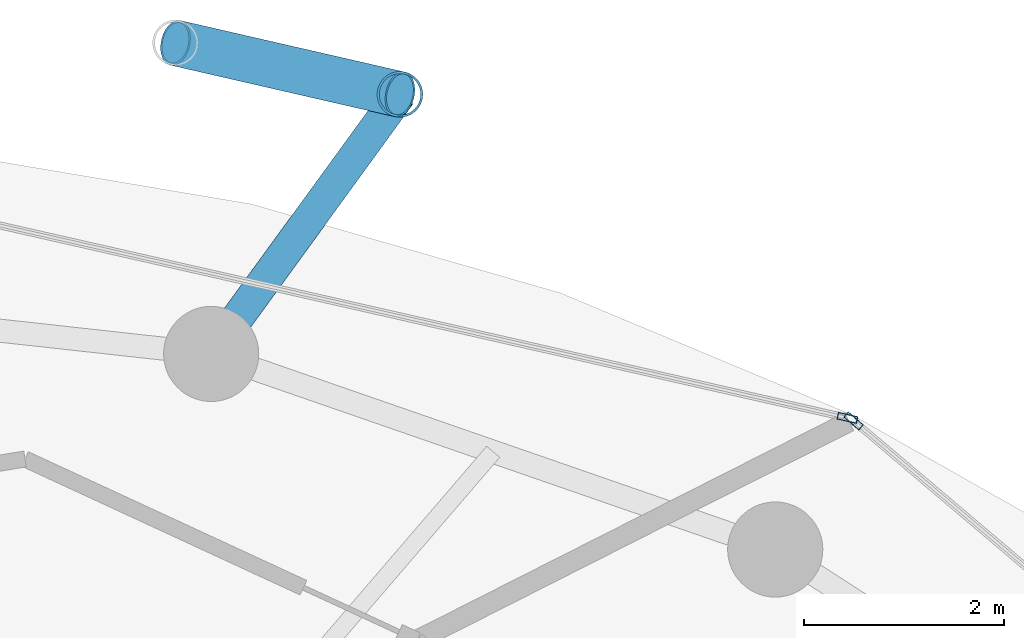
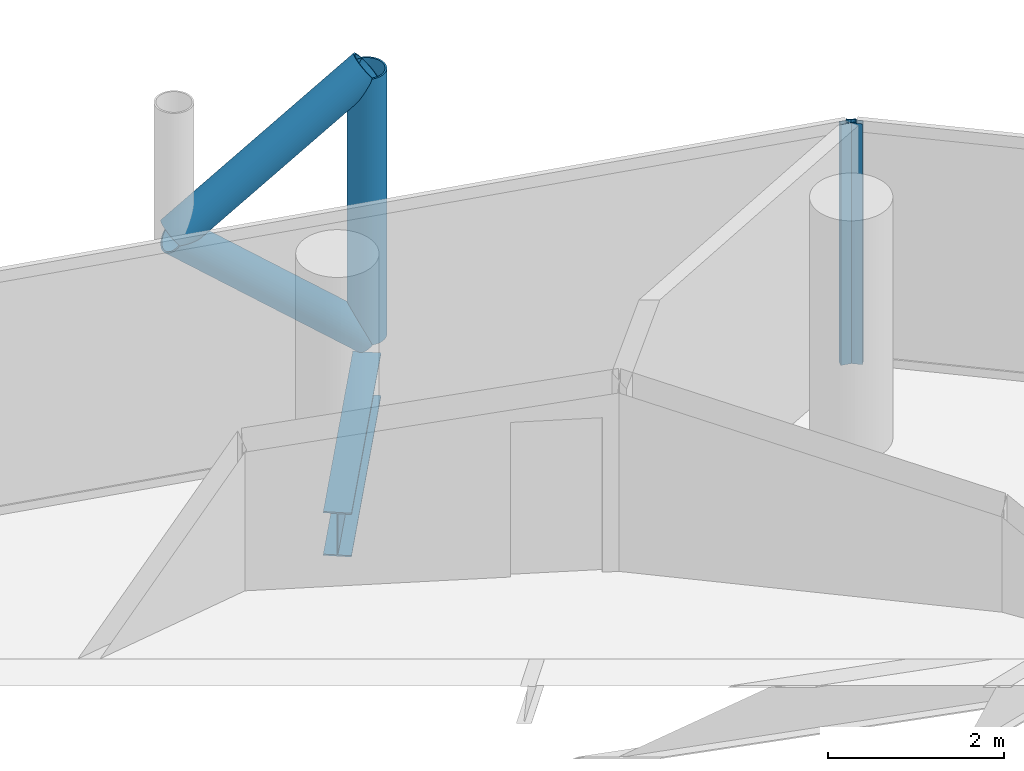
# One storey, part 20 of 26: 5 members, 1 beam, 2 elements without a shape of their own.
"""IFC4 building model written with IfcOpenShell, lengths in metres."""

from ifc_helpers import new_model, si_unit, direction, frame, origin, origin_2d, place, context, subcontext, project, spatial, hollow_rectangle, hollow_circle, i_section, extrude, material, layer, layer_set, material_profile, profile_set, type_object, element, aggregate, save


model = new_model("IFC4")

# Units and contexts
model_context = context("Model", 3, precision=1e-05, world=origin(), true_north=direction((0.0, 1.0)))
body_context = subcontext(model_context, "Body", "Model", "MODEL_VIEW")
ifc_project = project(units=[si_unit("LENGTHUNIT", "METRE"), si_unit("AREAUNIT", "SQUARE_METRE"), si_unit("VOLUMEUNIT", "CUBIC_METRE"), si_unit("PLANEANGLEUNIT", "RADIAN"), si_unit("MASSUNIT", "GRAM", prefix="KILO")], contexts=[model_context])

# Site, building, storey
site_placement = place(None, origin())
site = spatial("IfcSite", under=ifc_project, at=site_placement, CompositionType="ELEMENT")
building_placement = place(site_placement, origin())
building = spatial("IfcBuilding", under=site, at=building_placement, Name="Nuhasar Tower", CompositionType="ELEMENT")
storey_placement = place(building_placement, frame((0.0, 0.0, 192.25)))
storey = spatial("IfcBuildingStorey", under=building, at=storey_placement, Name="L47", CompositionType="ELEMENT", Elevation=192.25)

# Beam
ifc_material_1 = material(Name="Steel S355", Category="steel")
ifc_material_profile_1 = material_profile(ifc_material_1, i_section(OverallWidth=0.323974609375, OverallDepth=0.611083984375, WebThickness=0.0126953125, FlangeThickness=0.01904296875, at=origin_2d()), Name="W24X104")
ifc_profile_set_1 = profile_set([ifc_material_profile_1], Name="Steel S355")
beam_type = type_object("IfcBeamType", Name="BM-TIE-W24X104", PredefinedType="BEAM", material=ifc_profile_set_1)
beam_placement = place(storey_placement, frame((45.04296875, 45.68408203125, -0.554931640625), z_axis=(0.588185286445, 0.808726201387, 0.0), x_axis=(-0.808726201387, 0.588185286445, 0.0)))
element("IfcBeam", 1, at=beam_placement, inside=storey, type_object=beam_type, Name="L47 Exoskeleton Node Tie Beam 03", PredefinedType="BEAM", context=body_context, shape_type="SweptSolid", body=[
    extrude(i_section(OverallWidth=0.323974609375, OverallDepth=0.611083984375, WebThickness=0.0126953125, FlangeThickness=0.01904296875, at=origin_2d()), origin(), (0.0, 0.0, 1.0), 3.204833984375),
])

# Curtain wall, member
ifc_material_2 = material(Name="Aluminium 6063-T6", Category="aluminium")
ifc_layer = layer(ifc_material_2, 0.199951171875)
ifc_layer_set = layer_set([ifc_layer], Name="Aluminium 6063-T6")
curtain_wall_type = type_object("IfcCurtainWallType", Name="CW-Z2-HTL", PredefinedType="NOTDEFINED", material=ifc_layer_set)
curtain_wall_1_placement = place(storey_placement, origin())
curtain_wall_1 = element("IfcCurtainWall", 2, at=curtain_wall_1_placement, inside=storey, type_object=curtain_wall_type, Name="L47 Unitised Curtain Wall 02", PredefinedType="NOTDEFINED")
ifc_material_profile_2 = material_profile(ifc_material_2, hollow_rectangle(XDim=0.070068359375, YDim=0.199951171875, WallThickness=0.0048828125, at=origin_2d()), Name="CWM-3")
ifc_profile_set_2 = profile_set([ifc_material_profile_2], Name="Aluminium 6063-T6")
member_type_1 = type_object("IfcMemberType", Name="CW-MUL-S3", PredefinedType="MULLION", material=ifc_profile_set_2)
member_1_placement = place(storey_placement, frame((51.456787109375, 45.015380859375, 0.0), z_axis=(0.0, 0.0, 1.0), x_axis=(-0.646374438324, -0.763020370292, 0.0)))
member_1 = element("IfcMember", 3, at=member_1_placement, type_object=member_type_1, Name="CW-Z2 mullion 2", PredefinedType="MULLION", context=body_context, shape_type="SweptSolid", body=[
    extrude(hollow_rectangle(XDim=0.070068359375, YDim=0.199951171875, WallThickness=0.0048828125, at=origin_2d()), origin(), (0.0, 0.0, 1.0), 3.35009765625),
])
aggregate(curtain_wall_1, [member_1])

curtain_wall_2_placement = place(storey_placement, origin())
curtain_wall_2 = element("IfcCurtainWall", 4, at=curtain_wall_2_placement, inside=storey, type_object=curtain_wall_type, Name="L47 Unitised Curtain Wall 03", PredefinedType="NOTDEFINED")
member_2_placement = place(storey_placement, frame((51.395751953125, 45.045654296875, 0.0), z_axis=(0.0, 0.0, 1.0), x_axis=(-0.22139729566, -0.975183694221, 0.0)))
member_2 = element("IfcMember", 5, at=member_2_placement, type_object=member_type_1, Name="CW-Z2 mullion 1", PredefinedType="MULLION", context=body_context, shape_type="SweptSolid", body=[
    extrude(hollow_rectangle(XDim=0.070068359375, YDim=0.199951171875, WallThickness=0.0048828125, at=origin_2d()), origin(), (0.0, 0.0, 1.0), 3.35009765625),
])
aggregate(curtain_wall_2, [member_2])

# Members
ifc_material_3 = material(Name="Steel S460", Category="steel")
ifc_material_profile_3 = material_profile(ifc_material_3, hollow_circle(Radius=0.228515625, WallThickness=0.022216796875, at=origin_2d()), Name="HSS457X22.2")
ifc_profile_set_3 = profile_set([ifc_material_profile_3], Name="Steel S460")
member_type_2 = type_object("IfcMemberType", Name="EXO-BRONZE-457", PredefinedType="BRACE", material=ifc_profile_set_3)
member_3_placement = place(storey_placement, frame((46.927978515625, 48.27587890625, 0.0), z_axis=(0.0, 0.0, 1.0), x_axis=(1.0, 0.0, 0.0)))
element("IfcMember", 6, at=member_3_placement, inside=storey, type_object=member_type_2, Name="L47 Exoskeleton Chord Column EC-03A", PredefinedType="BRACE", context=body_context, shape_type="SweptSolid", body=[
    extrude(hollow_circle(Radius=0.228515625, WallThickness=0.022216796875, at=origin_2d()), origin(), (0.0, 0.0, 1.0), 3.699951171875),
])
member_4_placement = place(storey_placement, frame((46.927978515625, 48.27587890625, 0.0), z_axis=(-0.759499549084, 0.174181209885, 0.626754609927), x_axis=(-0.223533724104, -0.974696195842, 0.0)))
element("IfcMember", 7, at=member_4_placement, inside=storey, type_object=member_type_2, Name="L47 Bronze Diagrid Brace W1-03", PredefinedType="BRACE", context=body_context, shape_type="SweptSolid", body=[
    extrude(hollow_circle(Radius=0.228515625, WallThickness=0.022216796875, at=origin_2d()), origin(), (0.0, 0.0, 1.0), 2.951904296875),
])
member_5_placement = place(storey_placement, frame((44.68603515625, 48.7900390625, 1.85009765625), z_axis=(0.759538919781, -0.174190239035, 0.626704388019), x_axis=(0.223533724104, 0.974696195842, 0.0)))
element("IfcMember", 8, at=member_5_placement, inside=storey, type_object=member_type_2, Name="L47 Bronze Diagrid Brace W2-03", PredefinedType="BRACE", context=body_context, shape_type="SweptSolid", body=[
    extrude(hollow_circle(Radius=0.228515625, WallThickness=0.022216796875, at=origin_2d()), origin(), (0.0, 0.0, 1.0), 2.95166015625),
])

save(model, "model.ifc")
